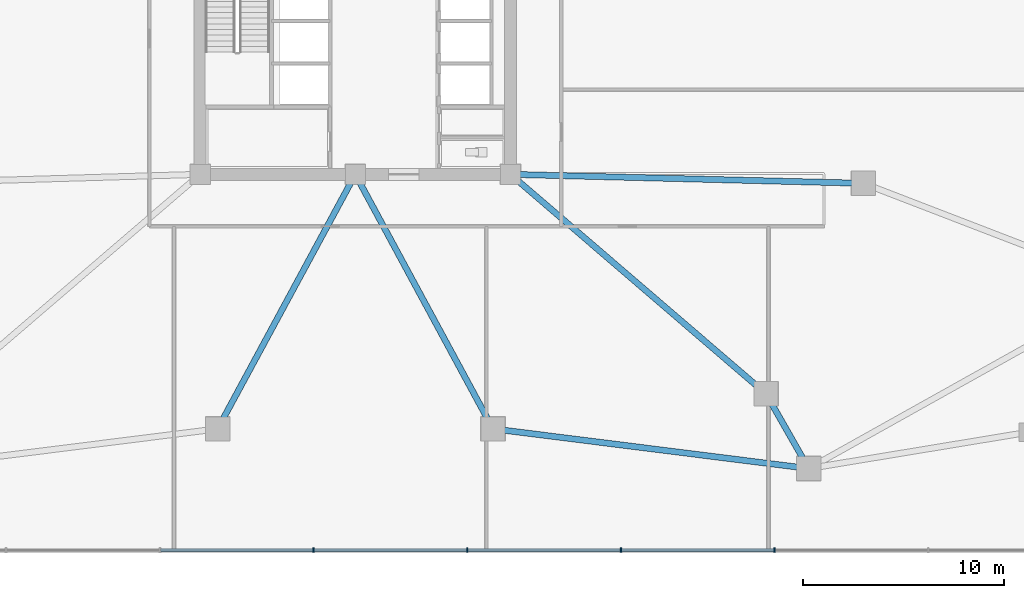
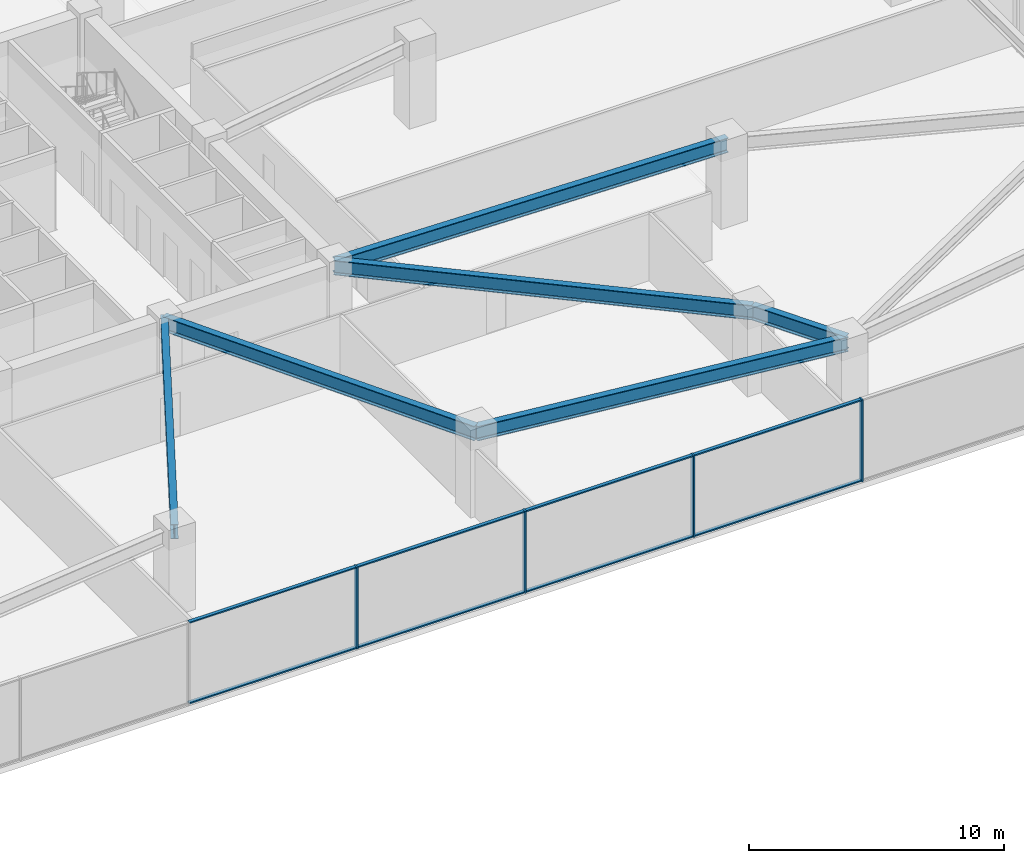
# One storey, part 4 of 22: 12 members, 6 beams, 1 element without a shape of its own.
"""IFC4 building model written with IfcOpenShell, lengths in metres."""

from ifc_helpers import new_model, si_unit, direction, frame, origin, origin_2d, place, context, subcontext, project, spatial, rectangle, i_section, extrude, material, material_profile, profile_set, type_object, element, aggregate, save


model = new_model("IFC4")

# Units and contexts
model_context = context("Model", 3, precision=1e-05, world=origin(), true_north=direction((0.0, 1.0)))
body_context = subcontext(model_context, "Body", "Model", "MODEL_VIEW")
ifc_project = project(units=[si_unit("LENGTHUNIT", "METRE"), si_unit("AREAUNIT", "SQUARE_METRE"), si_unit("VOLUMEUNIT", "CUBIC_METRE"), si_unit("PLANEANGLEUNIT", "RADIAN"), si_unit("MASSUNIT", "GRAM", prefix="KILO")], contexts=[model_context])

# Site, building, storey
site_placement = place(None, origin())
site = spatial("IfcSite", under=ifc_project, at=site_placement, CompositionType="ELEMENT")
building_placement = place(site_placement, origin())
building = spatial("IfcBuilding", under=site, at=building_placement, Name="Savorim Split Tower", CompositionType="ELEMENT")
storey_placement = place(building_placement, frame((0.0, 0.0, 13.39990234375)))
storey = spatial("IfcBuildingStorey", under=building, at=storey_placement, Name="L03", CompositionType="ELEMENT", Elevation=13.39990234375)

# Beams
ifc_material_1 = material(Name="Steel S355", Category="steel")
ifc_material_profile_1 = material_profile(ifc_material_1, i_section(OverallWidth=0.300048828125, OverallDepth=0.699951171875, WebThickness=0.01708984375, FlangeThickness=0.031982421875, FilletRadius=0.027099609375, at=origin_2d()), Name="HEB 700")
ifc_profile_set_1 = profile_set([ifc_material_profile_1], Name="Steel S355")
beam_type = type_object("IfcBeamType", Name="BM-PRI-HEB700", PredefinedType="BEAM", material=ifc_profile_set_1)
beam_1_placement = place(storey_placement, frame((22.5, -24.0, 3.570068359375), z_axis=(-0.992201816191, 0.124641710303, 0.0), x_axis=(-0.124641710303, -0.992201816191, 0.0)))
element("IfcBeam", 1, at=beam_1_placement, inside=storey, type_object=beam_type, Name="L03 Podium Primary Girder BG-03", PredefinedType="BEAM", context=body_context, shape_type="SweptSolid", body=[
    extrude(i_section(OverallWidth=0.300048828125, OverallDepth=0.699951171875, WebThickness=0.01708984375, FlangeThickness=0.031982421875, FilletRadius=0.027099609375, at=origin_2d()), origin(), (0.0, 0.0, 1.0), 15.791259765625),
])
beam_2_placement = place(storey_placement, frame((22.5, -24.0, 3.570068359375), z_axis=(-0.495603085314, 0.868549124591, 0.0), x_axis=(-0.868549124591, -0.495603085314, 0.0)))
element("IfcBeam", 2, at=beam_2_placement, inside=storey, type_object=beam_type, Name="L03 Podium Primary Girder BG-04", PredefinedType="BEAM", context=body_context, shape_type="SweptSolid", body=[
    extrude(i_section(OverallWidth=0.300048828125, OverallDepth=0.699951171875, WebThickness=0.01708984375, FlangeThickness=0.031982421875, FilletRadius=0.027099609375, at=origin_2d()), origin(), (0.0, 0.0, 1.0), 4.26953125),
])
for number, where, z_axis, x_axis, name in (
    (3, (-6.831787109375, -22.03173828125, 3.570068359375), (0.47572005496, 0.879596742438, 0.0), (-0.879596742438, 0.47572005496, 0.0), "L03 Podium Primary Girder BG-23"),
    (4, (6.831787109375, -22.03173828125, 3.570068359375), (-0.47572005496, 0.879596742438, 0.0), (-0.879596742438, -0.47572005496, 0.0), "L03 Podium Primary Girder BG-24"),
):
    element("IfcBeam", number, at=place(storey_placement, frame(where, z_axis=z_axis, x_axis=x_axis)), inside=storey, type_object=beam_type, Name=name, PredefinedType="BEAM", context=body_context, shape_type="SweptSolid", body=[
        extrude(i_section(OverallWidth=0.300048828125, OverallDepth=0.699951171875, WebThickness=0.01708984375, FlangeThickness=0.031982421875, FilletRadius=0.027099609375, at=origin_2d()), origin(), (0.0, 0.0, 1.0), 14.36083984375),
    ])
beam_3_placement = place(storey_placement, frame((20.384033203125, -20.291748046875, 3.570068359375), z_axis=(-0.758671842154, 0.651472974054, 0.0), x_axis=(-0.651472974054, -0.758671842154, 0.0)))
element("IfcBeam", 5, at=beam_3_placement, inside=storey, type_object=beam_type, Name="L03 Podium Primary Girder BG-25", PredefinedType="BEAM", context=body_context, shape_type="SweptSolid", body=[
    extrude(i_section(OverallWidth=0.300048828125, OverallDepth=0.699951171875, WebThickness=0.01708984375, FlangeThickness=0.031982421875, FilletRadius=0.027099609375, at=origin_2d()), origin(), (0.0, 0.0, 1.0), 16.71875),
])
beam_4_placement = place(storey_placement, frame((25.21337890625, -9.845458984375, 3.570068359375), z_axis=(-0.999676538363, 0.025432629574, 0.0), x_axis=(-0.025432629574, -0.999676538363, 0.0)))
element("IfcBeam", 6, at=beam_4_placement, inside=storey, type_object=beam_type, Name="L03 Podium Primary Girder BG-26", PredefinedType="BEAM", context=body_context, shape_type="SweptSolid", body=[
    extrude(i_section(OverallWidth=0.300048828125, OverallDepth=0.699951171875, WebThickness=0.01708984375, FlangeThickness=0.031982421875, FilletRadius=0.027099609375, at=origin_2d()), origin(), (0.0, 0.0, 1.0), 17.51904296875),
])

# Curtain wall, members
ifc_material_2 = material(Name="Dark Ceramic-Fritted Insulated Glass", Category="glass")
curtain_wall_type = type_object("IfcCurtainWallType", Name="CW-POD-GLZ", PredefinedType="NOTDEFINED", material=ifc_material_2)
curtain_wall_placement = place(storey_placement, origin())
curtain_wall = element("IfcCurtainWall", 7, at=curtain_wall_placement, inside=storey, type_object=curtain_wall_type, Name="L03 Curtain Wall CW-L03-E04", PredefinedType="NOTDEFINED")
ifc_material_3 = material(Name="Charcoal Anodised Aluminium", Category="aluminium")
ifc_material_profile_2 = material_profile(ifc_material_3, rectangle(XDim=0.219970703125, YDim=0.070068359375, at=origin_2d()), Name="ALU-M 220x70")
ifc_profile_set_2 = profile_set([ifc_material_profile_2], Name="Charcoal Anodised Aluminium")
member_type_1 = type_object("IfcMemberType", Name="CWM-220x70", PredefinedType="MULLION", material=ifc_profile_set_2)
member_1_placement = place(storey_placement, frame((-2.074462890625, -28.0400390625, 0.0), z_axis=(0.0, 0.0, 1.0), x_axis=(0.0, 1.0, 0.0)))
member_1 = element("IfcMember", 8, at=member_1_placement, type_object=member_type_1, Name="CW-01 mullion 4", PredefinedType="MULLION", context=body_context, shape_type="SweptSolid", body=[
    extrude(rectangle(XDim=0.219970703125, YDim=0.070068359375, at=origin_2d()), origin(), (0.0, 0.0, 1.0), 3.920166015625),
])
member_2_placement = place(storey_placement, frame((5.552490234375, -28.0400390625, 0.0), z_axis=(0.0, 0.0, 1.0), x_axis=(0.0, 1.0, 0.0)))
member_2 = element("IfcMember", 9, at=member_2_placement, type_object=member_type_1, Name="CW-01 mullion 5", PredefinedType="MULLION", context=body_context, shape_type="SweptSolid", body=[
    extrude(rectangle(XDim=0.219970703125, YDim=0.070068359375, at=origin_2d()), origin(), (0.0, 0.0, 1.0), 3.920166015625),
])
member_3_placement = place(storey_placement, frame((13.179443359375, -28.0400390625, 0.0), z_axis=(0.0, 0.0, 1.0), x_axis=(0.0, 1.0, 0.0)))
member_3 = element("IfcMember", 10, at=member_3_placement, type_object=member_type_1, Name="CW-01 mullion 6", PredefinedType="MULLION", context=body_context, shape_type="SweptSolid", body=[
    extrude(rectangle(XDim=0.219970703125, YDim=0.070068359375, at=origin_2d()), origin(), (0.0, 0.0, 1.0), 3.920166015625),
])
member_4_placement = place(storey_placement, frame((20.80615234375, -28.0400390625, 0.0), z_axis=(0.0, 0.0, 1.0), x_axis=(0.0, 1.0, 0.0)))
member_4 = element("IfcMember", 11, at=member_4_placement, type_object=member_type_1, Name="CW-01 mullion 7", PredefinedType="MULLION", context=body_context, shape_type="SweptSolid", body=[
    extrude(rectangle(XDim=0.219970703125, YDim=0.070068359375, at=origin_2d()), origin(), (0.0, 0.0, 1.0), 3.920166015625),
])
ifc_material_profile_3 = material_profile(ifc_material_3, rectangle(XDim=0.159912109375, YDim=0.06005859375, at=origin_2d()), Name="ALU-T 160x60")
ifc_profile_set_3 = profile_set([ifc_material_profile_3], Name="Charcoal Anodised Aluminium")
member_type_2 = type_object("IfcMemberType", Name="CWT-160x60", PredefinedType="USERDEFINED", material=ifc_profile_set_3)
member_5_placement = place(storey_placement, frame((-9.666259765625, -28.0400390625, 0.030029296875), z_axis=(1.0, 0.0, 0.0), x_axis=(0.0, 1.0, 0.0)))
member_5 = element("IfcMember", 12, at=member_5_placement, type_object=member_type_2, Name="CW-01 transom 3.1", ObjectType="TRANSOM", PredefinedType="USERDEFINED", context=body_context, shape_type="SweptSolid", body=[
    extrude(rectangle(XDim=0.159912109375, YDim=0.06005859375, at=origin_2d()), origin(), (0.0, 0.0, 1.0), 7.556884765625),
])
member_6_placement = place(storey_placement, frame((-9.666259765625, -28.0400390625, 3.89013671875), z_axis=(1.0, 0.0, 0.0), x_axis=(0.0, 1.0, 0.0)))
member_6 = element("IfcMember", 13, at=member_6_placement, type_object=member_type_2, Name="CW-01 transom 3.2", ObjectType="TRANSOM", PredefinedType="USERDEFINED", context=body_context, shape_type="SweptSolid", body=[
    extrude(rectangle(XDim=0.159912109375, YDim=0.06005859375, at=origin_2d()), origin(), (0.0, 0.0, 1.0), 7.556884765625),
])
member_7_placement = place(storey_placement, frame((-2.039306640625, -28.0400390625, 0.030029296875), z_axis=(1.0, 0.0, 0.0), x_axis=(0.0, 1.0, 0.0)))
member_7 = element("IfcMember", 14, at=member_7_placement, type_object=member_type_2, Name="CW-01 transom 4.1", ObjectType="TRANSOM", PredefinedType="USERDEFINED", context=body_context, shape_type="SweptSolid", body=[
    extrude(rectangle(XDim=0.159912109375, YDim=0.06005859375, at=origin_2d()), origin(), (0.0, 0.0, 1.0), 7.556884765625),
])
member_8_placement = place(storey_placement, frame((-2.039306640625, -28.0400390625, 3.89013671875), z_axis=(1.0, 0.0, 0.0), x_axis=(0.0, 1.0, 0.0)))
member_8 = element("IfcMember", 15, at=member_8_placement, type_object=member_type_2, Name="CW-01 transom 4.2", ObjectType="TRANSOM", PredefinedType="USERDEFINED", context=body_context, shape_type="SweptSolid", body=[
    extrude(rectangle(XDim=0.159912109375, YDim=0.06005859375, at=origin_2d()), origin(), (0.0, 0.0, 1.0), 7.556884765625),
])
member_9_placement = place(storey_placement, frame((5.58740234375, -28.0400390625, 0.030029296875), z_axis=(1.0, 0.0, 0.0), x_axis=(0.0, 1.0, 0.0)))
member_9 = element("IfcMember", 16, at=member_9_placement, type_object=member_type_2, Name="CW-01 transom 5.1", ObjectType="TRANSOM", PredefinedType="USERDEFINED", context=body_context, shape_type="SweptSolid", body=[
    extrude(rectangle(XDim=0.159912109375, YDim=0.06005859375, at=origin_2d()), origin(), (0.0, 0.0, 1.0), 7.556884765625),
])
member_10_placement = place(storey_placement, frame((5.58740234375, -28.0400390625, 3.89013671875), z_axis=(1.0, 0.0, 0.0), x_axis=(0.0, 1.0, 0.0)))
member_10 = element("IfcMember", 17, at=member_10_placement, type_object=member_type_2, Name="CW-01 transom 5.2", ObjectType="TRANSOM", PredefinedType="USERDEFINED", context=body_context, shape_type="SweptSolid", body=[
    extrude(rectangle(XDim=0.159912109375, YDim=0.06005859375, at=origin_2d()), origin(), (0.0, 0.0, 1.0), 7.556884765625),
])
member_11_placement = place(storey_placement, frame((13.21435546875, -28.0400390625, 0.030029296875), z_axis=(1.0, 0.0, 0.0), x_axis=(0.0, 1.0, 0.0)))
member_11 = element("IfcMember", 18, at=member_11_placement, type_object=member_type_2, Name="CW-01 transom 6.1", ObjectType="TRANSOM", PredefinedType="USERDEFINED", context=body_context, shape_type="SweptSolid", body=[
    extrude(rectangle(XDim=0.159912109375, YDim=0.06005859375, at=origin_2d()), origin(), (0.0, 0.0, 1.0), 7.556884765625),
])
member_12_placement = place(storey_placement, frame((13.21435546875, -28.0400390625, 3.89013671875), z_axis=(1.0, 0.0, 0.0), x_axis=(0.0, 1.0, 0.0)))
member_12 = element("IfcMember", 19, at=member_12_placement, type_object=member_type_2, Name="CW-01 transom 6.2", ObjectType="TRANSOM", PredefinedType="USERDEFINED", context=body_context, shape_type="SweptSolid", body=[
    extrude(rectangle(XDim=0.159912109375, YDim=0.06005859375, at=origin_2d()), origin(), (0.0, 0.0, 1.0), 7.556884765625),
])
aggregate(curtain_wall, [member_1, member_2, member_3, member_4, member_5, member_6, member_7, member_8, member_9, member_10, member_11, member_12])

save(model, "model.ifc")
